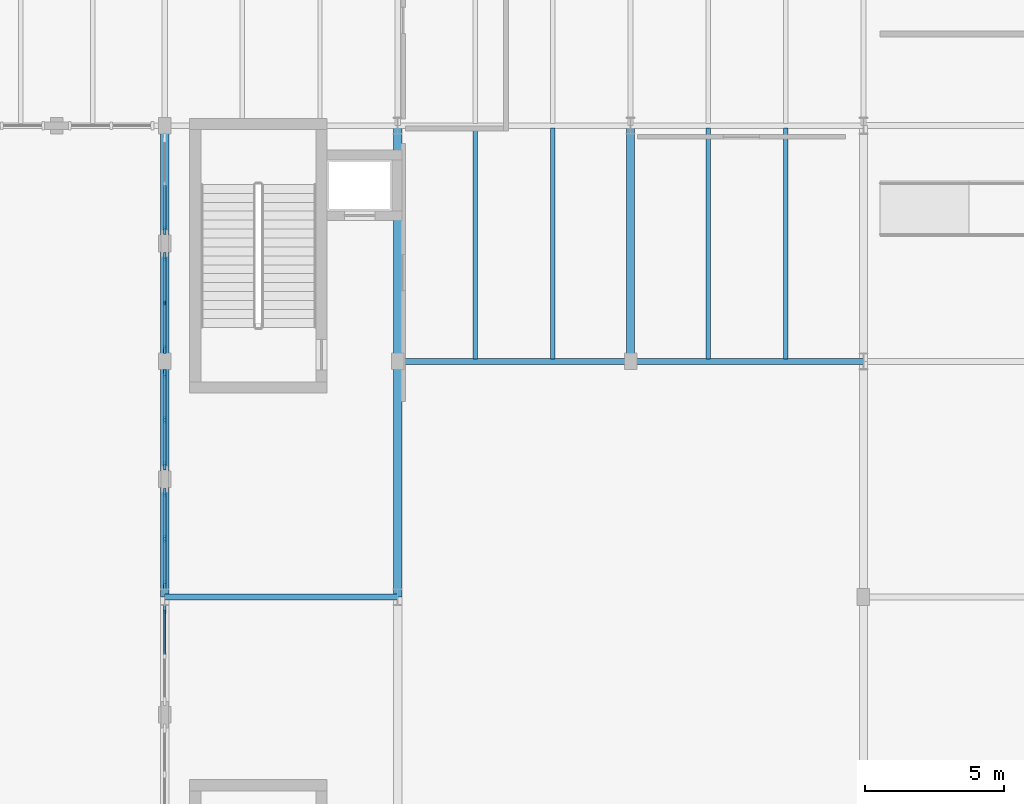
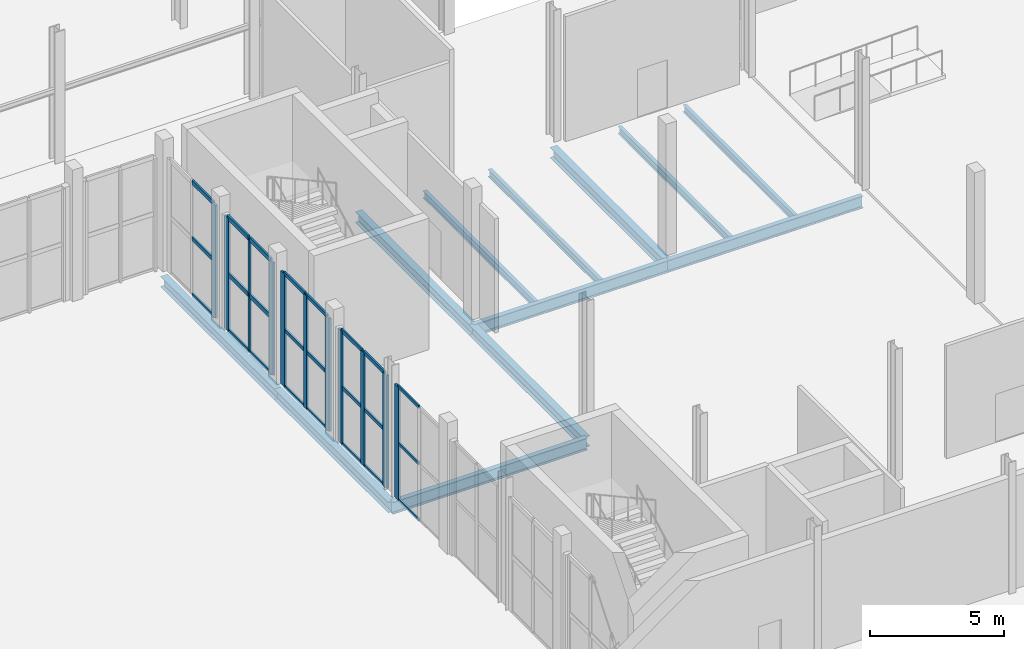
# One storey, part 37 of 84: 35 members, 12 beams, 5 elements without a shape of their own.
"""IFC4 building model written with IfcOpenShell, lengths in metres."""

from ifc_helpers import new_model, si_unit, direction, frame, origin, origin_2d, place, context, subcontext, project, spatial, rectangle, i_section, extrude, material, layer, layer_set, material_profile, profile_set, type_object, element, aggregate, save


model = new_model("IFC4")

# Units and contexts
model_context = context("Model", 3, precision=1e-05, world=origin(), true_north=direction((0.0, 1.0)))
body_context = subcontext(model_context, "Body", "Model", "MODEL_VIEW")
ifc_project = project(units=[si_unit("LENGTHUNIT", "METRE"), si_unit("AREAUNIT", "SQUARE_METRE"), si_unit("VOLUMEUNIT", "CUBIC_METRE"), si_unit("PLANEANGLEUNIT", "RADIAN"), si_unit("MASSUNIT", "GRAM", prefix="KILO")], contexts=[model_context])

# Site, building, storey
site_placement = place(None, origin())
site = spatial("IfcSite", under=ifc_project, at=site_placement, CompositionType="ELEMENT")
building_placement = place(site_placement, origin())
building = spatial("IfcBuilding", under=site, at=building_placement, Name="Sefraquen Railside Congress Hotel", CompositionType="ELEMENT")
storey_placement = place(building_placement, origin())
storey = spatial("IfcBuildingStorey", under=building, at=storey_placement, Name="L00", CompositionType="ELEMENT", Elevation=0.0)

# Beams
ifc_material_1 = material(Name="Steel S355JR", Category="steel")
ifc_material_profile_1 = material_profile(ifc_material_1, i_section(OverallWidth=0.300048828125, OverallDepth=0.489990234375, WebThickness=0.011962890625, FlangeThickness=0.02294921875, FilletRadius=0.027099609375, at=origin_2d()), Name="HEA 500")
ifc_profile_set_1 = profile_set([ifc_material_profile_1], Name="Steel S355JR")
beam_type_1 = type_object("IfcBeamType", Name="TB-GIR-500", PredefinedType="T_BEAM", material=ifc_profile_set_1)
for number, where, z_axis, x_axis, name in (
    (1, (103.199951171875, 71.0, -0.64501953125), (0.0, 1.0, 0.0), (-1.0, 0.0, 0.0), "Floor beam BM-L00-0279"),
    (2, (103.199951171875, 79.5, -0.64501953125), (0.0, 1.0, 0.0), (-1.0, 0.0, 0.0), "Floor beam BM-L00-0280"),
    (3, (111.60009765625, 71.0, -0.64501953125), (0.0, 1.0, 0.0), (-1.0, 0.0, 0.0), "Floor beam BM-L00-0287"),
    (4, (111.60009765625, 79.5, -0.64501953125), (0.0, 1.0, 0.0), (-1.0, 0.0, 0.0), "Floor beam BM-L00-0288"),
    (5, (120.0, 79.5, -0.64501953125), (0.0, 1.0, 0.0), (-1.0, 0.0, 0.0), "Floor beam BM-L00-0299"),
):
    element("IfcBeam", number, at=place(storey_placement, frame(where, z_axis=z_axis, x_axis=x_axis)), inside=storey, type_object=beam_type_1, Name=name, PredefinedType="T_BEAM", context=body_context, shape_type="SweptSolid", body=[
        extrude(i_section(OverallWidth=0.300048828125, OverallDepth=0.489990234375, WebThickness=0.011962890625, FlangeThickness=0.02294921875, FilletRadius=0.027099609375, at=origin_2d()), origin(), (0.0, 0.0, 1.0), 8.5),
    ])
ifc_material_profile_2 = material_profile(ifc_material_1, i_section(OverallWidth=0.2099609375, OverallDepth=0.550048828125, WebThickness=0.010986328125, FlangeThickness=0.01708984375, FilletRadius=0.02392578125, at=origin_2d()), Name="IPE 550")
ifc_profile_set_2 = profile_set([ifc_material_profile_2], Name="Steel S355JR")
beam_type_2 = type_object("IfcBeamType", Name="TB-GIR-550", PredefinedType="T_BEAM", material=ifc_profile_set_2)
beam_placement = place(storey_placement, frame((103.199951171875, 71.0, -0.675048828125), z_axis=(1.0, 0.0, 0.0), x_axis=(0.0, 1.0, 0.0)))
element("IfcBeam", 6, at=beam_placement, inside=storey, type_object=beam_type_2, Name="Primary girder BM-L00-0088", PredefinedType="T_BEAM", context=body_context, shape_type="SweptSolid", body=[
    extrude(i_section(OverallWidth=0.2099609375, OverallDepth=0.550048828125, WebThickness=0.010986328125, FlangeThickness=0.01708984375, FilletRadius=0.02392578125, at=origin_2d()), origin(), (0.0, 0.0, 1.0), 8.400146484375),
])
for number, where, z_axis, x_axis, name in (
    (7, (111.60009765625, 79.5, -0.675048828125), (1.0, 0.0, 0.0), (0.0, 1.0, 0.0), "Primary girder BM-L00-0096"),
    (8, (120.0, 79.5, -0.675048828125), (1.0, 0.0, 0.0), (0.0, 1.0, 0.0), "Primary girder BM-L00-0097"),
):
    element("IfcBeam", number, at=place(storey_placement, frame(where, z_axis=z_axis, x_axis=x_axis)), inside=storey, type_object=beam_type_2, Name=name, PredefinedType="T_BEAM", context=body_context, shape_type="SweptSolid", body=[
        extrude(i_section(OverallWidth=0.2099609375, OverallDepth=0.550048828125, WebThickness=0.010986328125, FlangeThickness=0.01708984375, FilletRadius=0.02392578125, at=origin_2d()), origin(), (0.0, 0.0, 1.0), 8.39990234375),
    ])
ifc_material_profile_3 = material_profile(ifc_material_1, i_section(OverallWidth=0.159912109375, OverallDepth=0.330078125, WebThickness=0.007568359375, FlangeThickness=0.011474609375, FilletRadius=0.01806640625, at=origin_2d()), Name="IPE 330")
ifc_profile_set_3 = profile_set([ifc_material_profile_3], Name="Steel S355JR")
beam_type_3 = type_object("IfcBeamType", Name="TB-JST-330", PredefinedType="JOIST", material=ifc_profile_set_3)
for number, where, z_axis, x_axis, name in (
    (9, (114.39990234375, 79.5849609375, -0.56494140625), (0.0, 1.0, 0.0), (-1.0, 0.0, 0.0), "Composite floor joist BM-L00-J0166"),
    (10, (117.199951171875, 79.5849609375, -0.56494140625), (0.0, 1.0, 0.0), (-1.0, 0.0, 0.0), "Composite floor joist BM-L00-J0167"),
    (11, (122.800048828125, 79.5849609375, -0.56494140625), (0.0, 1.0, 0.0), (-1.0, 0.0, 0.0), "Composite floor joist BM-L00-J0186"),
    (12, (125.60009765625, 79.5849609375, -0.56494140625), (0.0, 1.0, 0.0), (-1.0, 0.0, 0.0), "Composite floor joist BM-L00-J0187"),
):
    element("IfcBeam", number, at=place(storey_placement, frame(where, z_axis=z_axis, x_axis=x_axis)), inside=storey, type_object=beam_type_3, Name=name, PredefinedType="JOIST", context=body_context, shape_type="SweptSolid", body=[
        extrude(i_section(OverallWidth=0.159912109375, OverallDepth=0.330078125, WebThickness=0.007568359375, FlangeThickness=0.011474609375, FilletRadius=0.01806640625, at=origin_2d()), origin(), (0.0, 0.0, 1.0), 8.330078125),
    ])

# Curtain wall, member
ifc_material_2 = material(Name="Thermally broken anodised aluminium and low-E double glazing", Category="aluminium")
ifc_layer_1 = layer(ifc_material_2, 0.199951171875)
ifc_layer_set_1 = layer_set([ifc_layer_1], Name="Thermally broken anodised aluminium and low-E double glazing")
curtain_wall_type_1 = type_object("IfcCurtainWallType", Name="TCW-UCW-22", PredefinedType="USERDEFINED", material=ifc_layer_set_1)
curtain_wall_1_placement = place(storey_placement, origin())
curtain_wall_1 = element("IfcCurtainWall", 13, at=curtain_wall_1_placement, inside=storey, type_object=curtain_wall_type_1, Name="Courtyard east arcade curtain wall UCW-22", ObjectType="UNITISED CURTAIN WALL", PredefinedType="USERDEFINED")
ifc_material_3 = material(Name="Thermally broken anodised aluminium 6063-T6", Category="aluminium")
ifc_material_profile_4 = material_profile(ifc_material_3, rectangle(XDim=0.06005859375, YDim=0.159912109375, at=origin_2d()), Name="CWM 60x160")
ifc_profile_set_4 = profile_set([ifc_material_profile_4], Name="Thermally broken anodised aluminium 6063-T6")
member_type_1 = type_object("IfcMemberType", Name="TM-CWM-01", PredefinedType="MULLION", material=ifc_profile_set_4)
member_1_placement = place(storey_placement, frame((103.199951171875, 81.60498046875, 0.0), z_axis=(0.0, 0.0, 1.0), x_axis=(1.0, 0.0, 0.0)))
member_1 = element("IfcMember", 14, at=member_1_placement, type_object=member_type_1, Name="CW-L00-022 mullion 2", PredefinedType="MULLION", context=body_context, shape_type="SweptSolid", body=[
    extrude(rectangle(XDim=0.06005859375, YDim=0.159912109375, at=origin_2d()), origin(), (0.0, 0.0, 1.0), 5.14990234375),
])

ifc_layer_2 = layer(ifc_material_2, 0.199951171875)
ifc_layer_set_2 = layer_set([ifc_layer_2], Name="Thermally broken anodised aluminium and low-E double glazing")
curtain_wall_type_2 = type_object("IfcCurtainWallType", Name="TCW-UCW-20", PredefinedType="USERDEFINED", material=ifc_layer_set_2)
curtain_wall_2_placement = place(storey_placement, origin())
curtain_wall_2 = element("IfcCurtainWall", 15, at=curtain_wall_2_placement, inside=storey, type_object=curtain_wall_type_2, Name="Courtyard east arcade curtain wall UCW-20", ObjectType="UNITISED CURTAIN WALL", PredefinedType="USERDEFINED")
ifc_material_profile_5 = material_profile(ifc_material_3, rectangle(XDim=0.0849609375, YDim=0.260009765625, at=origin_2d()), Name="CWM 85x260")
ifc_profile_set_5 = profile_set([ifc_material_profile_5], Name="Thermally broken anodised aluminium 6063-T6")
member_type_2 = type_object("IfcMemberType", Name="TM-CWM-06", PredefinedType="MULLION", material=ifc_profile_set_5)
member_2_placement = place(storey_placement, frame((103.199951171875, 73.10498046875, 0.0), z_axis=(0.0, 0.0, 1.0), x_axis=(1.0, 0.0, 0.0)))
member_2 = element("IfcMember", 16, at=member_2_placement, type_object=member_type_2, Name="CW-L00-020 mullion 2", PredefinedType="MULLION", context=body_context, shape_type="SweptSolid", body=[
    extrude(rectangle(XDim=0.0849609375, YDim=0.260009765625, at=origin_2d()), origin(), (0.0, 0.0, 1.0), 5.14990234375),
])

curtain_wall_3_placement = place(storey_placement, origin())
curtain_wall_3 = element("IfcCurtainWall", 17, at=curtain_wall_3_placement, inside=storey, type_object=curtain_wall_type_2, Name="Courtyard east arcade curtain wall UCW-20 bay 2", ObjectType="UNITISED CURTAIN WALL", PredefinedType="USERDEFINED")
member_3_placement = place(storey_placement, frame((103.199951171875, 77.39501953125, 0.0), z_axis=(0.0, 0.0, 1.0), x_axis=(1.0, 0.0, 0.0)))
member_3 = element("IfcMember", 18, at=member_3_placement, type_object=member_type_2, Name="CW-L00-020-S2 mullion 2", PredefinedType="MULLION", context=body_context, shape_type="SweptSolid", body=[
    extrude(rectangle(XDim=0.0849609375, YDim=0.260009765625, at=origin_2d()), origin(), (0.0, 0.0, 1.0), 5.14990234375),
])

ifc_layer_3 = layer(ifc_material_2, 0.199951171875)
ifc_layer_set_3 = layer_set([ifc_layer_3], Name="Thermally broken anodised aluminium and low-E double glazing")
curtain_wall_type_3 = type_object("IfcCurtainWallType", Name="TCW-UCW-18", PredefinedType="USERDEFINED", material=ifc_layer_set_3)
curtain_wall_4_placement = place(storey_placement, origin())
curtain_wall_4 = element("IfcCurtainWall", 19, at=curtain_wall_4_placement, inside=storey, type_object=curtain_wall_type_3, Name="Courtyard east arcade curtain wall UCW-18 bay 2", ObjectType="UNITISED CURTAIN WALL", PredefinedType="USERDEFINED")
ifc_material_profile_6 = material_profile(ifc_material_3, rectangle(XDim=0.094970703125, YDim=0.300048828125, at=origin_2d()), Name="CWM 95x300")
ifc_profile_set_6 = profile_set([ifc_material_profile_6], Name="Thermally broken anodised aluminium 6063-T6")
member_type_3 = type_object("IfcMemberType", Name="TM-CWM-08", PredefinedType="MULLION", material=ifc_profile_set_6)
member_4_placement = place(storey_placement, frame((103.199951171875, 70.56005859375, 0.0), z_axis=(0.0, 0.0, 1.0), x_axis=(1.0, 0.0, 0.0)))
member_4 = element("IfcMember", 20, at=member_4_placement, type_object=member_type_3, Name="CW-L00-018-S2 mullion 3", PredefinedType="MULLION", context=body_context, shape_type="SweptSolid", body=[
    extrude(rectangle(XDim=0.094970703125, YDim=0.300048828125, at=origin_2d()), origin(), (0.0, 0.0, 1.0), 5.14990234375),
])

# Member
member_5_placement = place(storey_placement, frame((103.199951171875, 71.43994140625, 0.0), z_axis=(0.0, 0.0, 1.0), x_axis=(1.0, 0.0, 0.0)))
member_5 = element("IfcMember", 21, at=member_5_placement, type_object=member_type_3, Name="CW-L00-020 mullion 1", PredefinedType="MULLION", context=body_context, shape_type="SweptSolid", body=[
    extrude(rectangle(XDim=0.094970703125, YDim=0.300048828125, at=origin_2d()), origin(), (0.0, 0.0, 1.0), 5.14990234375),
])

member_6_placement = place(storey_placement, frame((103.199951171875, 74.77001953125, 0.0), z_axis=(0.0, 0.0, 1.0), x_axis=(1.0, 0.0, 0.0)))
member_6 = element("IfcMember", 22, at=member_6_placement, type_object=member_type_3, Name="CW-L00-020 mullion 3", PredefinedType="MULLION", context=body_context, shape_type="SweptSolid", body=[
    extrude(rectangle(XDim=0.094970703125, YDim=0.300048828125, at=origin_2d()), origin(), (0.0, 0.0, 1.0), 5.14990234375),
])

member_7_placement = place(storey_placement, frame((103.199951171875, 75.72998046875, 0.0), z_axis=(0.0, 0.0, 1.0), x_axis=(1.0, 0.0, 0.0)))
member_7 = element("IfcMember", 23, at=member_7_placement, type_object=member_type_3, Name="CW-L00-020-S2 mullion 1", PredefinedType="MULLION", context=body_context, shape_type="SweptSolid", body=[
    extrude(rectangle(XDim=0.094970703125, YDim=0.300048828125, at=origin_2d()), origin(), (0.0, 0.0, 1.0), 5.14990234375),
])

member_8_placement = place(storey_placement, frame((103.199951171875, 79.06005859375, 0.0), z_axis=(0.0, 0.0, 1.0), x_axis=(1.0, 0.0, 0.0)))
member_8 = element("IfcMember", 24, at=member_8_placement, type_object=member_type_3, Name="CW-L00-020-S2 mullion 3", PredefinedType="MULLION", context=body_context, shape_type="SweptSolid", body=[
    extrude(rectangle(XDim=0.094970703125, YDim=0.300048828125, at=origin_2d()), origin(), (0.0, 0.0, 1.0), 5.14990234375),
])

member_9_placement = place(storey_placement, frame((103.199951171875, 79.93994140625, 0.0), z_axis=(0.0, 0.0, 1.0), x_axis=(1.0, 0.0, 0.0)))
member_9 = element("IfcMember", 25, at=member_9_placement, type_object=member_type_3, Name="CW-L00-022 mullion 1", PredefinedType="MULLION", context=body_context, shape_type="SweptSolid", body=[
    extrude(rectangle(XDim=0.094970703125, YDim=0.300048828125, at=origin_2d()), origin(), (0.0, 0.0, 1.0), 5.14990234375),
])

member_10_placement = place(storey_placement, frame((103.199951171875, 83.27001953125, 0.0), z_axis=(0.0, 0.0, 1.0), x_axis=(1.0, 0.0, 0.0)))
member_10 = element("IfcMember", 26, at=member_10_placement, type_object=member_type_3, Name="CW-L00-022 mullion 3", PredefinedType="MULLION", context=body_context, shape_type="SweptSolid", body=[
    extrude(rectangle(XDim=0.094970703125, YDim=0.300048828125, at=origin_2d()), origin(), (0.0, 0.0, 1.0), 5.14990234375),
])

# Curtain wall, member
curtain_wall_5_placement = place(storey_placement, origin())
curtain_wall_5 = element("IfcCurtainWall", 27, at=curtain_wall_5_placement, inside=storey, type_object=curtain_wall_type_1, Name="Courtyard east arcade curtain wall UCW-22 bay 2", ObjectType="UNITISED CURTAIN WALL", PredefinedType="USERDEFINED")
member_11_placement = place(storey_placement, frame((103.199951171875, 84.22998046875, 0.0), z_axis=(0.0, 0.0, 1.0), x_axis=(1.0, 0.0, 0.0)))
member_11 = element("IfcMember", 28, at=member_11_placement, type_object=member_type_3, Name="CW-L00-022-S2 mullion 1", PredefinedType="MULLION", context=body_context, shape_type="SweptSolid", body=[
    extrude(rectangle(XDim=0.094970703125, YDim=0.300048828125, at=origin_2d()), origin(), (0.0, 0.0, 1.0), 5.14990234375),
])

# Member
ifc_material_profile_7 = material_profile(ifc_material_3, rectangle(XDim=0.06494140625, YDim=0.135009765625, at=origin_2d()), Name="CWT 65x135")
ifc_profile_set_7 = profile_set([ifc_material_profile_7], Name="Thermally broken anodised aluminium 6063-T6")
member_type_4 = type_object("IfcMemberType", Name="TM-CWT-02", PredefinedType="USERDEFINED", material=ifc_profile_set_7)
member_12_placement = place(storey_placement, frame((103.199951171875, 68.93994140625, 0.0), z_axis=(0.0, 1.0, 0.0), x_axis=(-1.0, 0.0, 0.0)))
member_12 = element("IfcMember", 29, at=member_12_placement, type_object=member_type_4, Name="CW-L00-018-S2 transom 1.2", ObjectType="TRANSOM", PredefinedType="USERDEFINED", context=body_context, shape_type="SweptSolid", body=[
    extrude(rectangle(XDim=0.06494140625, YDim=0.135009765625, at=origin_2d()), origin(), (0.0, 0.0, 1.0), 1.574951171875),
])

member_13_placement = place(storey_placement, frame((103.199951171875, 68.93994140625, 2.574951171875), z_axis=(0.0, 1.0, 0.0), x_axis=(-1.0, 0.0, 0.0)))
member_13 = element("IfcMember", 30, at=member_13_placement, type_object=member_type_4, Name="CW-L00-018-S2 transom 2.2", ObjectType="TRANSOM", PredefinedType="USERDEFINED", context=body_context, shape_type="SweptSolid", body=[
    extrude(rectangle(XDim=0.06494140625, YDim=0.135009765625, at=origin_2d()), origin(), (0.0, 0.0, 1.0), 1.574951171875),
])

member_14_placement = place(storey_placement, frame((103.199951171875, 68.93994140625, 5.14990234375), z_axis=(0.0, 1.0, 0.0), x_axis=(-1.0, 0.0, 0.0)))
member_14 = element("IfcMember", 31, at=member_14_placement, type_object=member_type_4, Name="CW-L00-018-S2 transom 3.2", ObjectType="TRANSOM", PredefinedType="USERDEFINED", context=body_context, shape_type="SweptSolid", body=[
    extrude(rectangle(XDim=0.06494140625, YDim=0.135009765625, at=origin_2d()), origin(), (0.0, 0.0, 1.0), 1.574951171875),
])

aggregate(curtain_wall_4, [member_4, member_12, member_13, member_14])

ifc_material_profile_8 = material_profile(ifc_material_3, rectangle(XDim=0.074951171875, YDim=0.1650390625, at=origin_2d()), Name="CWT 75x165")
ifc_profile_set_8 = profile_set([ifc_material_profile_8], Name="Thermally broken anodised aluminium 6063-T6")
member_type_5 = type_object("IfcMemberType", Name="TM-CWT-04", PredefinedType="USERDEFINED", material=ifc_profile_set_8)
member_15_placement = place(storey_placement, frame((103.199951171875, 71.485107421875, 0.0), z_axis=(0.0, 1.0, 0.0), x_axis=(-1.0, 0.0, 0.0)))
member_15 = element("IfcMember", 32, at=member_15_placement, type_object=member_type_5, Name="CW-L00-020 transom 1.1", ObjectType="TRANSOM", PredefinedType="USERDEFINED", context=body_context, shape_type="SweptSolid", body=[
    extrude(rectangle(XDim=0.074951171875, YDim=0.1650390625, at=origin_2d()), origin(), (0.0, 0.0, 1.0), 1.574951171875),
])

member_16_placement = place(storey_placement, frame((103.199951171875, 73.14990234375, 0.0), z_axis=(0.0, 1.0, 0.0), x_axis=(-1.0, 0.0, 0.0)))
member_16 = element("IfcMember", 33, at=member_16_placement, type_object=member_type_5, Name="CW-L00-020 transom 1.2", ObjectType="TRANSOM", PredefinedType="USERDEFINED", context=body_context, shape_type="SweptSolid", body=[
    extrude(rectangle(XDim=0.074951171875, YDim=0.1650390625, at=origin_2d()), origin(), (0.0, 0.0, 1.0), 1.5751953125),
])

member_17_placement = place(storey_placement, frame((103.199951171875, 71.485107421875, 2.574951171875), z_axis=(0.0, 1.0, 0.0), x_axis=(-1.0, 0.0, 0.0)))
member_17 = element("IfcMember", 34, at=member_17_placement, type_object=member_type_5, Name="CW-L00-020 transom 2.1", ObjectType="TRANSOM", PredefinedType="USERDEFINED", context=body_context, shape_type="SweptSolid", body=[
    extrude(rectangle(XDim=0.074951171875, YDim=0.1650390625, at=origin_2d()), origin(), (0.0, 0.0, 1.0), 1.574951171875),
])

member_18_placement = place(storey_placement, frame((103.199951171875, 73.14990234375, 2.574951171875), z_axis=(0.0, 1.0, 0.0), x_axis=(-1.0, 0.0, 0.0)))
member_18 = element("IfcMember", 35, at=member_18_placement, type_object=member_type_5, Name="CW-L00-020 transom 2.2", ObjectType="TRANSOM", PredefinedType="USERDEFINED", context=body_context, shape_type="SweptSolid", body=[
    extrude(rectangle(XDim=0.074951171875, YDim=0.1650390625, at=origin_2d()), origin(), (0.0, 0.0, 1.0), 1.5751953125),
])

member_19_placement = place(storey_placement, frame((103.199951171875, 71.485107421875, 5.14990234375), z_axis=(0.0, 1.0, 0.0), x_axis=(-1.0, 0.0, 0.0)))
member_19 = element("IfcMember", 36, at=member_19_placement, type_object=member_type_5, Name="CW-L00-020 transom 3.1", ObjectType="TRANSOM", PredefinedType="USERDEFINED", context=body_context, shape_type="SweptSolid", body=[
    extrude(rectangle(XDim=0.074951171875, YDim=0.1650390625, at=origin_2d()), origin(), (0.0, 0.0, 1.0), 1.574951171875),
])

member_20_placement = place(storey_placement, frame((103.199951171875, 73.14990234375, 5.14990234375), z_axis=(0.0, 1.0, 0.0), x_axis=(-1.0, 0.0, 0.0)))
member_20 = element("IfcMember", 37, at=member_20_placement, type_object=member_type_5, Name="CW-L00-020 transom 3.2", ObjectType="TRANSOM", PredefinedType="USERDEFINED", context=body_context, shape_type="SweptSolid", body=[
    extrude(rectangle(XDim=0.074951171875, YDim=0.1650390625, at=origin_2d()), origin(), (0.0, 0.0, 1.0), 1.5751953125),
])

aggregate(curtain_wall_2, [member_5, member_2, member_6, member_15, member_16, member_17, member_18, member_19, member_20])

member_21_placement = place(storey_placement, frame((103.199951171875, 75.77490234375, 0.0), z_axis=(0.0, 1.0, 0.0), x_axis=(-1.0, 0.0, 0.0)))
member_21 = element("IfcMember", 38, at=member_21_placement, type_object=member_type_5, Name="CW-L00-020-S2 transom 1.1", ObjectType="TRANSOM", PredefinedType="USERDEFINED", context=body_context, shape_type="SweptSolid", body=[
    extrude(rectangle(XDim=0.074951171875, YDim=0.1650390625, at=origin_2d()), origin(), (0.0, 0.0, 1.0), 1.5751953125),
])

member_22_placement = place(storey_placement, frame((103.199951171875, 77.43994140625, 0.0), z_axis=(0.0, 1.0, 0.0), x_axis=(-1.0, 0.0, 0.0)))
member_22 = element("IfcMember", 39, at=member_22_placement, type_object=member_type_5, Name="CW-L00-020-S2 transom 1.2", ObjectType="TRANSOM", PredefinedType="USERDEFINED", context=body_context, shape_type="SweptSolid", body=[
    extrude(rectangle(XDim=0.074951171875, YDim=0.1650390625, at=origin_2d()), origin(), (0.0, 0.0, 1.0), 1.574951171875),
])

member_23_placement = place(storey_placement, frame((103.199951171875, 75.77490234375, 2.574951171875), z_axis=(0.0, 1.0, 0.0), x_axis=(-1.0, 0.0, 0.0)))
member_23 = element("IfcMember", 40, at=member_23_placement, type_object=member_type_5, Name="CW-L00-020-S2 transom 2.1", ObjectType="TRANSOM", PredefinedType="USERDEFINED", context=body_context, shape_type="SweptSolid", body=[
    extrude(rectangle(XDim=0.074951171875, YDim=0.1650390625, at=origin_2d()), origin(), (0.0, 0.0, 1.0), 1.5751953125),
])

member_24_placement = place(storey_placement, frame((103.199951171875, 77.43994140625, 2.574951171875), z_axis=(0.0, 1.0, 0.0), x_axis=(-1.0, 0.0, 0.0)))
member_24 = element("IfcMember", 41, at=member_24_placement, type_object=member_type_5, Name="CW-L00-020-S2 transom 2.2", ObjectType="TRANSOM", PredefinedType="USERDEFINED", context=body_context, shape_type="SweptSolid", body=[
    extrude(rectangle(XDim=0.074951171875, YDim=0.1650390625, at=origin_2d()), origin(), (0.0, 0.0, 1.0), 1.574951171875),
])

member_25_placement = place(storey_placement, frame((103.199951171875, 75.77490234375, 5.14990234375), z_axis=(0.0, 1.0, 0.0), x_axis=(-1.0, 0.0, 0.0)))
member_25 = element("IfcMember", 42, at=member_25_placement, type_object=member_type_5, Name="CW-L00-020-S2 transom 3.1", ObjectType="TRANSOM", PredefinedType="USERDEFINED", context=body_context, shape_type="SweptSolid", body=[
    extrude(rectangle(XDim=0.074951171875, YDim=0.1650390625, at=origin_2d()), origin(), (0.0, 0.0, 1.0), 1.5751953125),
])

member_26_placement = place(storey_placement, frame((103.199951171875, 77.43994140625, 5.14990234375), z_axis=(0.0, 1.0, 0.0), x_axis=(-1.0, 0.0, 0.0)))
member_26 = element("IfcMember", 43, at=member_26_placement, type_object=member_type_5, Name="CW-L00-020-S2 transom 3.2", ObjectType="TRANSOM", PredefinedType="USERDEFINED", context=body_context, shape_type="SweptSolid", body=[
    extrude(rectangle(XDim=0.074951171875, YDim=0.1650390625, at=origin_2d()), origin(), (0.0, 0.0, 1.0), 1.574951171875),
])

aggregate(curtain_wall_3, [member_7, member_3, member_8, member_21, member_22, member_23, member_24, member_25, member_26])

ifc_material_profile_9 = material_profile(ifc_material_3, rectangle(XDim=0.0849609375, YDim=0.195068359375, at=origin_2d()), Name="CWT 85x195")
ifc_profile_set_9 = profile_set([ifc_material_profile_9], Name="Thermally broken anodised aluminium 6063-T6")
member_type_6 = type_object("IfcMemberType", Name="TM-CWT-06", PredefinedType="USERDEFINED", material=ifc_profile_set_9)
member_27_placement = place(storey_placement, frame((103.199951171875, 79.985107421875, 0.0), z_axis=(0.0, 1.0, 0.0), x_axis=(-1.0, 0.0, 0.0)))
member_27 = element("IfcMember", 44, at=member_27_placement, type_object=member_type_6, Name="CW-L00-022 transom 1.1", ObjectType="TRANSOM", PredefinedType="USERDEFINED", context=body_context, shape_type="SweptSolid", body=[
    extrude(rectangle(XDim=0.0849609375, YDim=0.195068359375, at=origin_2d()), origin(), (0.0, 0.0, 1.0), 1.574951171875),
])

member_28_placement = place(storey_placement, frame((103.199951171875, 81.64990234375, 0.0), z_axis=(0.0, 1.0, 0.0), x_axis=(-1.0, 0.0, 0.0)))
member_28 = element("IfcMember", 45, at=member_28_placement, type_object=member_type_6, Name="CW-L00-022 transom 1.2", ObjectType="TRANSOM", PredefinedType="USERDEFINED", context=body_context, shape_type="SweptSolid", body=[
    extrude(rectangle(XDim=0.0849609375, YDim=0.195068359375, at=origin_2d()), origin(), (0.0, 0.0, 1.0), 1.5751953125),
])

member_29_placement = place(storey_placement, frame((103.199951171875, 79.985107421875, 2.574951171875), z_axis=(0.0, 1.0, 0.0), x_axis=(-1.0, 0.0, 0.0)))
member_29 = element("IfcMember", 46, at=member_29_placement, type_object=member_type_6, Name="CW-L00-022 transom 2.1", ObjectType="TRANSOM", PredefinedType="USERDEFINED", context=body_context, shape_type="SweptSolid", body=[
    extrude(rectangle(XDim=0.0849609375, YDim=0.195068359375, at=origin_2d()), origin(), (0.0, 0.0, 1.0), 1.574951171875),
])

member_30_placement = place(storey_placement, frame((103.199951171875, 81.64990234375, 2.574951171875), z_axis=(0.0, 1.0, 0.0), x_axis=(-1.0, 0.0, 0.0)))
member_30 = element("IfcMember", 47, at=member_30_placement, type_object=member_type_6, Name="CW-L00-022 transom 2.2", ObjectType="TRANSOM", PredefinedType="USERDEFINED", context=body_context, shape_type="SweptSolid", body=[
    extrude(rectangle(XDim=0.0849609375, YDim=0.195068359375, at=origin_2d()), origin(), (0.0, 0.0, 1.0), 1.5751953125),
])

member_31_placement = place(storey_placement, frame((103.199951171875, 79.985107421875, 5.14990234375), z_axis=(0.0, 1.0, 0.0), x_axis=(-1.0, 0.0, 0.0)))
member_31 = element("IfcMember", 48, at=member_31_placement, type_object=member_type_6, Name="CW-L00-022 transom 3.1", ObjectType="TRANSOM", PredefinedType="USERDEFINED", context=body_context, shape_type="SweptSolid", body=[
    extrude(rectangle(XDim=0.0849609375, YDim=0.195068359375, at=origin_2d()), origin(), (0.0, 0.0, 1.0), 1.574951171875),
])

member_32_placement = place(storey_placement, frame((103.199951171875, 81.64990234375, 5.14990234375), z_axis=(0.0, 1.0, 0.0), x_axis=(-1.0, 0.0, 0.0)))
member_32 = element("IfcMember", 49, at=member_32_placement, type_object=member_type_6, Name="CW-L00-022 transom 3.2", ObjectType="TRANSOM", PredefinedType="USERDEFINED", context=body_context, shape_type="SweptSolid", body=[
    extrude(rectangle(XDim=0.0849609375, YDim=0.195068359375, at=origin_2d()), origin(), (0.0, 0.0, 1.0), 1.5751953125),
])

aggregate(curtain_wall_1, [member_9, member_1, member_10, member_27, member_28, member_29, member_30, member_31, member_32])

member_33_placement = place(storey_placement, frame((103.199951171875, 84.27490234375, 0.0), z_axis=(0.0, 1.0, 0.0), x_axis=(-1.0, 0.0, 0.0)))
member_33 = element("IfcMember", 50, at=member_33_placement, type_object=member_type_6, Name="CW-L00-022-S2 transom 1.1", ObjectType="TRANSOM", PredefinedType="USERDEFINED", context=body_context, shape_type="SweptSolid", body=[
    extrude(rectangle(XDim=0.0849609375, YDim=0.195068359375, at=origin_2d()), origin(), (0.0, 0.0, 1.0), 1.5751953125),
])

member_34_placement = place(storey_placement, frame((103.199951171875, 84.27490234375, 2.574951171875), z_axis=(0.0, 1.0, 0.0), x_axis=(-1.0, 0.0, 0.0)))
member_34 = element("IfcMember", 51, at=member_34_placement, type_object=member_type_6, Name="CW-L00-022-S2 transom 2.1", ObjectType="TRANSOM", PredefinedType="USERDEFINED", context=body_context, shape_type="SweptSolid", body=[
    extrude(rectangle(XDim=0.0849609375, YDim=0.195068359375, at=origin_2d()), origin(), (0.0, 0.0, 1.0), 1.5751953125),
])

member_35_placement = place(storey_placement, frame((103.199951171875, 84.27490234375, 5.14990234375), z_axis=(0.0, 1.0, 0.0), x_axis=(-1.0, 0.0, 0.0)))
member_35 = element("IfcMember", 52, at=member_35_placement, type_object=member_type_6, Name="CW-L00-022-S2 transom 3.1", ObjectType="TRANSOM", PredefinedType="USERDEFINED", context=body_context, shape_type="SweptSolid", body=[
    extrude(rectangle(XDim=0.0849609375, YDim=0.195068359375, at=origin_2d()), origin(), (0.0, 0.0, 1.0), 1.5751953125),
])

aggregate(curtain_wall_5, [member_11, member_33, member_34, member_35])

save(model, "model.ifc")
